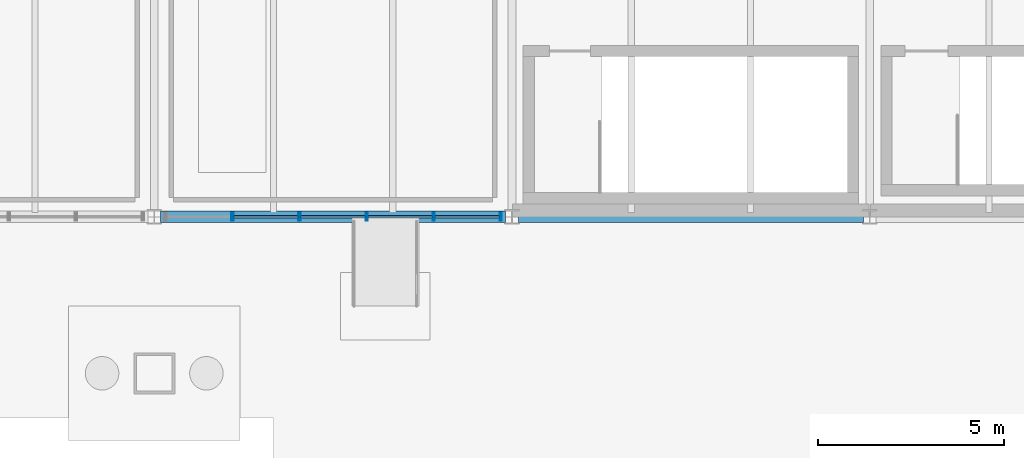
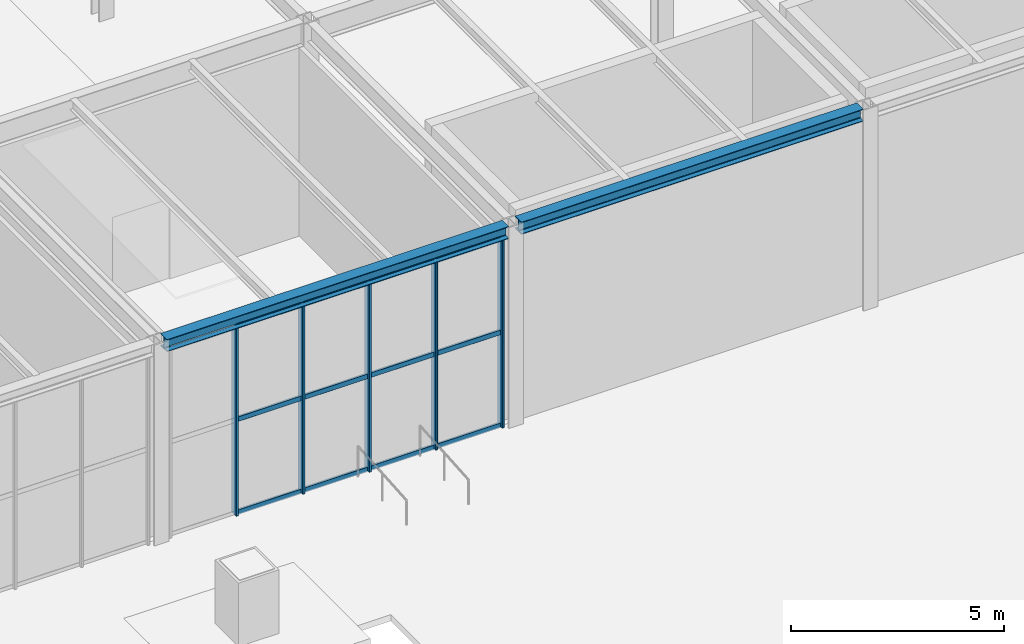
# One storey, part 87 of 142: 17 members, 2 beams, 1 element without a shape of its own.
"""IFC4 building model written with IfcOpenShell, lengths in metres."""

from ifc_helpers import new_model, si_unit, direction, frame, origin, origin_2d, place, context, subcontext, project, spatial, hollow_rectangle, i_section, extrude, material, material_profile, profile_set, type_object, element, aggregate, save


model = new_model("IFC4")

# Units and contexts
model_context = context("Model", 3, precision=1e-05, world=origin(), true_north=direction((0.0, 1.0)))
body_context = subcontext(model_context, "Body", "Model", "MODEL_VIEW")
ifc_project = project(units=[si_unit("LENGTHUNIT", "METRE"), si_unit("AREAUNIT", "SQUARE_METRE"), si_unit("VOLUMEUNIT", "CUBIC_METRE"), si_unit("PLANEANGLEUNIT", "RADIAN"), si_unit("MASSUNIT", "GRAM", prefix="KILO")], contexts=[model_context])

# Site, building, storey
site_placement = place(None, origin())
site = spatial("IfcSite", under=ifc_project, at=site_placement, CompositionType="ELEMENT")
building_placement = place(site_placement, origin())
building = spatial("IfcBuilding", under=site, at=building_placement, Name="Coralgate Yard Interchange", CompositionType="ELEMENT")
storey_placement = place(building_placement, origin())
storey = spatial("IfcBuildingStorey", under=building, at=storey_placement, Name="L00", CompositionType="ELEMENT", Elevation=0.0)

# Beams
ifc_material_1 = material(Name="Structural steel S355J2", Category="steel")
ifc_material_profile_1 = material_profile(ifc_material_1, i_section(OverallWidth=0.300048828125, OverallDepth=0.35009765625, WebThickness=0.010009765625, FlangeThickness=0.017578125, FilletRadius=0.027099609375, at=origin_2d()), Name="HEA 360")
ifc_profile_set_1 = profile_set([ifc_material_profile_1], Name="Structural steel S355J2")
beam_type = type_object("IfcBeamType", Name="BM-SP-1", PredefinedType="SPANDREL", material=ifc_profile_set_1)
for number, where, z_axis, x_axis, name in (
    (1, (124.969482421875, 38.39990234375, 5.574951171875), (1.0, 0.0, 0.0), (0.0, 1.0, 0.0), "L00 primary grid beam Y4 X13-14"),
    (2, (134.569580078125, 38.39990234375, 5.574951171875), (1.0, 0.0, 0.0), (0.0, 1.0, 0.0), "L00 primary grid beam Y4 X14-15"),
):
    element("IfcBeam", number, at=place(storey_placement, frame(where, z_axis=z_axis, x_axis=x_axis)), inside=storey, type_object=beam_type, Name=name, PredefinedType="SPANDREL", context=body_context, shape_type="SweptSolid", body=[
        extrude(i_section(OverallWidth=0.300048828125, OverallDepth=0.35009765625, WebThickness=0.010009765625, FlangeThickness=0.017578125, FilletRadius=0.027099609375, at=origin_2d()), origin(), (0.0, 0.0, 1.0), 9.260986328125),
    ])

# Curtain wall, members
ifc_material_2 = material(Name="Anodised coastal aluminium and solar-control low-E glass", Category="aluminium")
curtain_wall_type = type_object("IfcCurtainWallType", Name="CW-CW-L00-A", PredefinedType="NOTDEFINED", material=ifc_material_2)
curtain_wall_placement = place(storey_placement, origin())
curtain_wall = element("IfcCurtainWall", 3, at=curtain_wall_placement, inside=storey, type_object=curtain_wall_type, Name="L00 unitised curtain wall CW-L00-S-13-04", PredefinedType="NOTDEFINED")
ifc_material_3 = material(Name="Anodised coastal aluminium 6063-T6", Category="aluminium")
ifc_material_profile_2 = material_profile(ifc_material_3, hollow_rectangle(XDim=0.06005859375, YDim=0.219970703125, WallThickness=0.00390625, InnerFilletRadius=0.00390625, OuterFilletRadius=0.008056640625, at=origin_2d()), Name="ALU 60x220x4")
ifc_profile_set_2 = profile_set([ifc_material_profile_2], Name="Anodised coastal aluminium 6063-T6")
member_type_1 = type_object("IfcMemberType", Name="MB-MUL-220", PredefinedType="MULLION", material=ifc_profile_set_2)
member_1_placement = place(storey_placement, frame((134.10009765625, 38.39990234375, 0.0), z_axis=(0.0, 0.0, 1.0), x_axis=(1.0, 0.0, 0.0)))
member_1 = element("IfcMember", 4, at=member_1_placement, type_object=member_type_1, Name="CW-L00-S-13-04 vertical mullion 1", PredefinedType="MULLION", context=body_context, shape_type="SweptSolid", body=[
    extrude(hollow_rectangle(XDim=0.06005859375, YDim=0.219970703125, WallThickness=0.00390625, InnerFilletRadius=0.00390625, OuterFilletRadius=0.008056640625, at=origin_2d()), origin(), (0.0, 0.0, 1.0), 5.39990234375),
])
member_2_placement = place(storey_placement, frame((132.300048828125, 38.39990234375, 0.0), z_axis=(0.0, 0.0, 1.0), x_axis=(1.0, 0.0, 0.0)))
member_2 = element("IfcMember", 5, at=member_2_placement, type_object=member_type_1, Name="CW-L00-S-13-04 vertical mullion 2", PredefinedType="MULLION", context=body_context, shape_type="SweptSolid", body=[
    extrude(hollow_rectangle(XDim=0.06005859375, YDim=0.219970703125, WallThickness=0.00390625, InnerFilletRadius=0.00390625, OuterFilletRadius=0.008056640625, at=origin_2d()), origin(), (0.0, 0.0, 1.0), 5.39990234375),
])
member_3_placement = place(storey_placement, frame((130.5, 38.39990234375, 0.0), z_axis=(0.0, 0.0, 1.0), x_axis=(1.0, 0.0, 0.0)))
member_3 = element("IfcMember", 6, at=member_3_placement, type_object=member_type_1, Name="CW-L00-S-13-04 vertical mullion 3", PredefinedType="MULLION", context=body_context, shape_type="SweptSolid", body=[
    extrude(hollow_rectangle(XDim=0.06005859375, YDim=0.219970703125, WallThickness=0.00390625, InnerFilletRadius=0.00390625, OuterFilletRadius=0.008056640625, at=origin_2d()), origin(), (0.0, 0.0, 1.0), 5.39990234375),
])
member_4_placement = place(storey_placement, frame((128.699951171875, 38.39990234375, 0.0), z_axis=(0.0, 0.0, 1.0), x_axis=(1.0, 0.0, 0.0)))
member_4 = element("IfcMember", 7, at=member_4_placement, type_object=member_type_1, Name="CW-L00-S-13-04 vertical mullion 4", PredefinedType="MULLION", context=body_context, shape_type="SweptSolid", body=[
    extrude(hollow_rectangle(XDim=0.06005859375, YDim=0.219970703125, WallThickness=0.00390625, InnerFilletRadius=0.00390625, OuterFilletRadius=0.008056640625, at=origin_2d()), origin(), (0.0, 0.0, 1.0), 5.39990234375),
])
member_5_placement = place(storey_placement, frame((126.89990234375, 38.39990234375, 0.0), z_axis=(0.0, 0.0, 1.0), x_axis=(1.0, 0.0, 0.0)))
member_5 = element("IfcMember", 8, at=member_5_placement, type_object=member_type_1, Name="CW-L00-S-13-04 vertical mullion 5", PredefinedType="MULLION", context=body_context, shape_type="SweptSolid", body=[
    extrude(hollow_rectangle(XDim=0.06005859375, YDim=0.219970703125, WallThickness=0.00390625, InnerFilletRadius=0.00390625, OuterFilletRadius=0.008056640625, at=origin_2d()), origin(), (0.0, 0.0, 1.0), 5.39990234375),
])
ifc_material_profile_3 = material_profile(ifc_material_3, hollow_rectangle(XDim=0.06005859375, YDim=0.139892578125, WallThickness=0.00341796875, InnerFilletRadius=0.00341796875, OuterFilletRadius=0.007080078125, at=origin_2d()), Name="ALU 60x140x3.5")
ifc_profile_set_3 = profile_set([ifc_material_profile_3], Name="Anodised coastal aluminium 6063-T6")
member_type_2 = type_object("IfcMemberType", Name="MB-TRN-140", PredefinedType="USERDEFINED", material=ifc_profile_set_3)
member_6_placement = place(storey_placement, frame((134.070068359375, 38.39990234375, 0.034912109375), z_axis=(-1.0, 0.0, 0.0), x_axis=(0.0, -1.0, 0.0)))
member_6 = element("IfcMember", 9, at=member_6_placement, type_object=member_type_2, Name="CW-L00-S-13-04 horizontal transom 1-1", ObjectType="TRANSOM", PredefinedType="USERDEFINED", context=body_context, shape_type="SweptSolid", body=[
    extrude(hollow_rectangle(XDim=0.06005859375, YDim=0.139892578125, WallThickness=0.00341796875, InnerFilletRadius=0.00341796875, OuterFilletRadius=0.007080078125, at=origin_2d()), origin(), (0.0, 0.0, 1.0), 1.739990234375),
])
member_7_placement = place(storey_placement, frame((134.070068359375, 38.39990234375, 2.699951171875), z_axis=(-1.0, 0.0, 0.0), x_axis=(0.0, -1.0, 0.0)))
member_7 = element("IfcMember", 10, at=member_7_placement, type_object=member_type_2, Name="CW-L00-S-13-04 horizontal transom 1-2", ObjectType="TRANSOM", PredefinedType="USERDEFINED", context=body_context, shape_type="SweptSolid", body=[
    extrude(hollow_rectangle(XDim=0.06005859375, YDim=0.139892578125, WallThickness=0.00341796875, InnerFilletRadius=0.00341796875, OuterFilletRadius=0.007080078125, at=origin_2d()), origin(), (0.0, 0.0, 1.0), 1.739990234375),
])
member_8_placement = place(storey_placement, frame((134.070068359375, 38.39990234375, 5.364990234375), z_axis=(-1.0, 0.0, 0.0), x_axis=(0.0, -1.0, 0.0)))
member_8 = element("IfcMember", 11, at=member_8_placement, type_object=member_type_2, Name="CW-L00-S-13-04 horizontal transom 1-3", ObjectType="TRANSOM", PredefinedType="USERDEFINED", context=body_context, shape_type="SweptSolid", body=[
    extrude(hollow_rectangle(XDim=0.06005859375, YDim=0.139892578125, WallThickness=0.00341796875, InnerFilletRadius=0.00341796875, OuterFilletRadius=0.007080078125, at=origin_2d()), origin(), (0.0, 0.0, 1.0), 1.739990234375),
])
member_9_placement = place(storey_placement, frame((132.27001953125, 38.39990234375, 0.034912109375), z_axis=(-1.0, 0.0, 0.0), x_axis=(0.0, -1.0, 0.0)))
member_9 = element("IfcMember", 12, at=member_9_placement, type_object=member_type_2, Name="CW-L00-S-13-04 horizontal transom 2-1", ObjectType="TRANSOM", PredefinedType="USERDEFINED", context=body_context, shape_type="SweptSolid", body=[
    extrude(hollow_rectangle(XDim=0.06005859375, YDim=0.139892578125, WallThickness=0.00341796875, InnerFilletRadius=0.00341796875, OuterFilletRadius=0.007080078125, at=origin_2d()), origin(), (0.0, 0.0, 1.0), 1.739990234375),
])
member_10_placement = place(storey_placement, frame((132.27001953125, 38.39990234375, 2.699951171875), z_axis=(-1.0, 0.0, 0.0), x_axis=(0.0, -1.0, 0.0)))
member_10 = element("IfcMember", 13, at=member_10_placement, type_object=member_type_2, Name="CW-L00-S-13-04 horizontal transom 2-2", ObjectType="TRANSOM", PredefinedType="USERDEFINED", context=body_context, shape_type="SweptSolid", body=[
    extrude(hollow_rectangle(XDim=0.06005859375, YDim=0.139892578125, WallThickness=0.00341796875, InnerFilletRadius=0.00341796875, OuterFilletRadius=0.007080078125, at=origin_2d()), origin(), (0.0, 0.0, 1.0), 1.739990234375),
])
member_11_placement = place(storey_placement, frame((132.27001953125, 38.39990234375, 5.364990234375), z_axis=(-1.0, 0.0, 0.0), x_axis=(0.0, -1.0, 0.0)))
member_11 = element("IfcMember", 14, at=member_11_placement, type_object=member_type_2, Name="CW-L00-S-13-04 horizontal transom 2-3", ObjectType="TRANSOM", PredefinedType="USERDEFINED", context=body_context, shape_type="SweptSolid", body=[
    extrude(hollow_rectangle(XDim=0.06005859375, YDim=0.139892578125, WallThickness=0.00341796875, InnerFilletRadius=0.00341796875, OuterFilletRadius=0.007080078125, at=origin_2d()), origin(), (0.0, 0.0, 1.0), 1.739990234375),
])
member_12_placement = place(storey_placement, frame((130.469970703125, 38.39990234375, 0.034912109375), z_axis=(-1.0, 0.0, 0.0), x_axis=(0.0, -1.0, 0.0)))
member_12 = element("IfcMember", 15, at=member_12_placement, type_object=member_type_2, Name="CW-L00-S-13-04 horizontal transom 3-1", ObjectType="TRANSOM", PredefinedType="USERDEFINED", context=body_context, shape_type="SweptSolid", body=[
    extrude(hollow_rectangle(XDim=0.06005859375, YDim=0.139892578125, WallThickness=0.00341796875, InnerFilletRadius=0.00341796875, OuterFilletRadius=0.007080078125, at=origin_2d()), origin(), (0.0, 0.0, 1.0), 1.739990234375),
])
member_13_placement = place(storey_placement, frame((130.469970703125, 38.39990234375, 2.699951171875), z_axis=(-1.0, 0.0, 0.0), x_axis=(0.0, -1.0, 0.0)))
member_13 = element("IfcMember", 16, at=member_13_placement, type_object=member_type_2, Name="CW-L00-S-13-04 horizontal transom 3-2", ObjectType="TRANSOM", PredefinedType="USERDEFINED", context=body_context, shape_type="SweptSolid", body=[
    extrude(hollow_rectangle(XDim=0.06005859375, YDim=0.139892578125, WallThickness=0.00341796875, InnerFilletRadius=0.00341796875, OuterFilletRadius=0.007080078125, at=origin_2d()), origin(), (0.0, 0.0, 1.0), 1.739990234375),
])
member_14_placement = place(storey_placement, frame((130.469970703125, 38.39990234375, 5.364990234375), z_axis=(-1.0, 0.0, 0.0), x_axis=(0.0, -1.0, 0.0)))
member_14 = element("IfcMember", 17, at=member_14_placement, type_object=member_type_2, Name="CW-L00-S-13-04 horizontal transom 3-3", ObjectType="TRANSOM", PredefinedType="USERDEFINED", context=body_context, shape_type="SweptSolid", body=[
    extrude(hollow_rectangle(XDim=0.06005859375, YDim=0.139892578125, WallThickness=0.00341796875, InnerFilletRadius=0.00341796875, OuterFilletRadius=0.007080078125, at=origin_2d()), origin(), (0.0, 0.0, 1.0), 1.739990234375),
])
member_15_placement = place(storey_placement, frame((128.669921875, 38.39990234375, 0.034912109375), z_axis=(-1.0, 0.0, 0.0), x_axis=(0.0, -1.0, 0.0)))
member_15 = element("IfcMember", 18, at=member_15_placement, type_object=member_type_2, Name="CW-L00-S-13-04 horizontal transom 4-1", ObjectType="TRANSOM", PredefinedType="USERDEFINED", context=body_context, shape_type="SweptSolid", body=[
    extrude(hollow_rectangle(XDim=0.06005859375, YDim=0.139892578125, WallThickness=0.00341796875, InnerFilletRadius=0.00341796875, OuterFilletRadius=0.007080078125, at=origin_2d()), origin(), (0.0, 0.0, 1.0), 1.739990234375),
])
member_16_placement = place(storey_placement, frame((128.669921875, 38.39990234375, 2.699951171875), z_axis=(-1.0, 0.0, 0.0), x_axis=(0.0, -1.0, 0.0)))
member_16 = element("IfcMember", 19, at=member_16_placement, type_object=member_type_2, Name="CW-L00-S-13-04 horizontal transom 4-2", ObjectType="TRANSOM", PredefinedType="USERDEFINED", context=body_context, shape_type="SweptSolid", body=[
    extrude(hollow_rectangle(XDim=0.06005859375, YDim=0.139892578125, WallThickness=0.00341796875, InnerFilletRadius=0.00341796875, OuterFilletRadius=0.007080078125, at=origin_2d()), origin(), (0.0, 0.0, 1.0), 1.739990234375),
])
member_17_placement = place(storey_placement, frame((128.669921875, 38.39990234375, 5.364990234375), z_axis=(-1.0, 0.0, 0.0), x_axis=(0.0, -1.0, 0.0)))
member_17 = element("IfcMember", 20, at=member_17_placement, type_object=member_type_2, Name="CW-L00-S-13-04 horizontal transom 4-3", ObjectType="TRANSOM", PredefinedType="USERDEFINED", context=body_context, shape_type="SweptSolid", body=[
    extrude(hollow_rectangle(XDim=0.06005859375, YDim=0.139892578125, WallThickness=0.00341796875, InnerFilletRadius=0.00341796875, OuterFilletRadius=0.007080078125, at=origin_2d()), origin(), (0.0, 0.0, 1.0), 1.739990234375),
])
aggregate(curtain_wall, [member_1, member_2, member_3, member_4, member_5, member_6, member_7, member_8, member_9, member_10, member_11, member_12, member_13, member_14, member_15, member_16, member_17])

save(model, "model.ifc")
